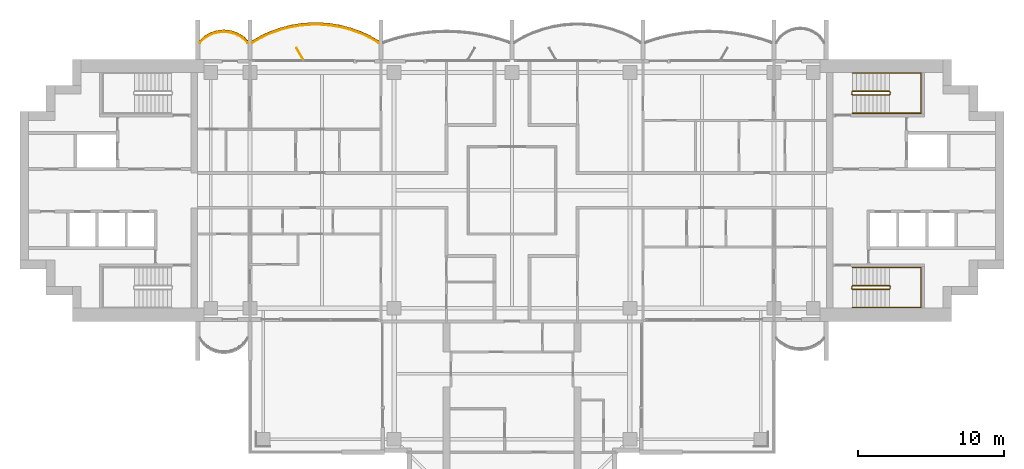
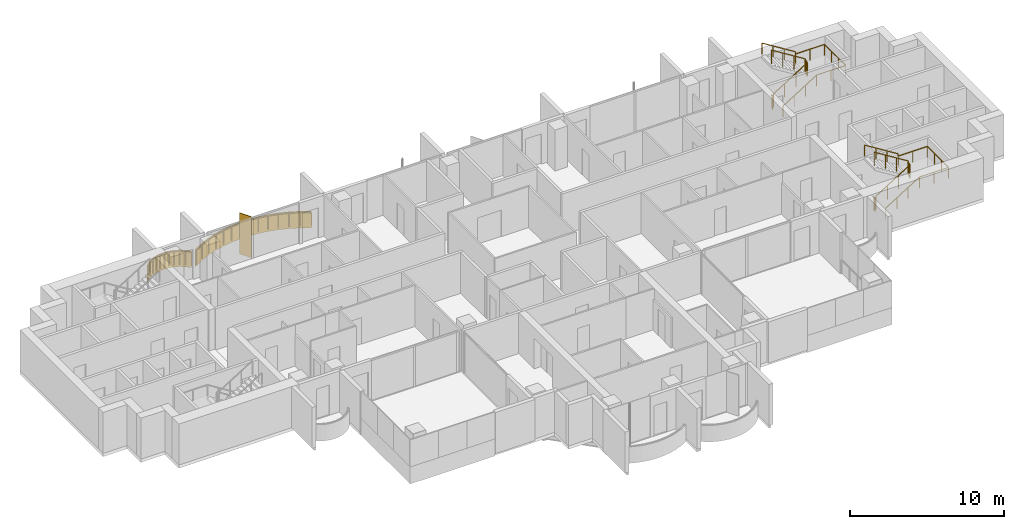
# One storey, part 16 of 17: 6 railings, 2 coverings, 1 shading device.
"""IFC4 building model written with IfcOpenShell, lengths in metres."""

from ifc_helpers import new_model, si_unit, direction, frame, origin, origin_2d, place, context, subcontext, project, spatial, polyline, rectangle, outline, extrude, material, layer, layer_set, type_object, element, save


model = new_model("IFC4")

# Units and contexts
model_context = context("Model", 3, precision=1e-05, world=origin(), true_north=direction((0.0, 1.0)))
body_context = subcontext(model_context, "Body", "Model", "MODEL_VIEW")
ifc_project = project(units=[si_unit("LENGTHUNIT", "METRE"), si_unit("AREAUNIT", "SQUARE_METRE"), si_unit("VOLUMEUNIT", "CUBIC_METRE"), si_unit("PLANEANGLEUNIT", "RADIAN"), si_unit("MASSUNIT", "GRAM", prefix="KILO")], contexts=[model_context])

# Site, building, storey
site_placement = place(None, origin())
site = spatial("IfcSite", under=ifc_project, at=site_placement, CompositionType="ELEMENT")
building_placement = place(site_placement, origin())
building = spatial("IfcBuilding", under=site, at=building_placement, Name="Perihelion Cross Residences", CompositionType="ELEMENT")
storey_placement = place(building_placement, frame((0.0, 0.0, 201.60009765625)))
storey = spatial("IfcBuildingStorey", under=building, at=storey_placement, Name="L50", CompositionType="ELEMENT", Elevation=201.60009765625)

# Coverings
ifc_material_1 = material(Name="Bronze anodised aluminium", Category="aluminium")
ifc_layer_1 = layer(ifc_material_1, 0.070068359375)
ifc_layer_set_1 = layer_set([ifc_layer_1], Name="Balcony fascia 1300")
covering_type = type_object("IfcCoveringType", Name="Balcony fascia 1300", PredefinedType="CLADDING", material=ifc_layer_set_1)
covering_1_placement = place(storey_placement, frame((0.0, 0.0, -0.2001953125)))
element("IfcCovering", 1, at=covering_1_placement, inside=storey, type_object=covering_type, Name="Fascia BF1 L50 west side north bay 1", PredefinedType="CLADDING", context=body_context, shape_type="SweptSolid", body=[
    extrude(outline(polyline([(-9.787841796875, 10.63916015625), (-10.462646484375, 10.941650390625), (-11.1376953125, 11.175048828125), (-11.8125, 11.345947265625), (-12.487548828125, 11.457763671875), (-13.16259765625, 11.51318359375), (-13.83740234375, 11.51318359375), (-14.512451171875, 11.457763671875), (-15.1875, 11.345947265625), (-15.8623046875, 11.175048828125), (-16.537353515625, 10.941650390625), (-17.212158203125, 10.63916015625), (-17.85009765625, 10.2802734375), (-17.85009765625, 10.199951171875), (-17.1806640625, 10.57666015625), (-16.511474609375, 10.87646484375), (-15.84228515625, 11.108154296875), (-15.173095703125, 11.27734375), (-14.50390625, 11.38818359375), (-13.834716796875, 11.443115234375), (-13.165283203125, 11.443115234375), (-12.49609375, 11.38818359375), (-11.826904296875, 11.27734375), (-11.15771484375, 11.108154296875), (-10.488525390625, 10.87646484375), (-9.8193359375, 10.57666015625), (-9.14990234375, 10.199951171875), (-9.14990234375, 10.2802734375), (-9.787841796875, 10.63916015625)])), origin(), (0.0, 0.0, 1.0), 1.300048828125),
])
covering_2_placement = place(storey_placement, frame((0.0, 0.0, -0.2001953125)))
element("IfcCovering", 2, at=covering_2_placement, inside=storey, type_object=covering_type, Name="Fascia BF1 L50 west side north bay 2", PredefinedType="CLADDING", context=body_context, shape_type="SweptSolid", body=[
    extrude(outline(polyline([(-18.4375, 10.56298828125), (-18.778076171875, 10.77587890625), (-19.11865234375, 10.914794921875), (-19.45947265625, 10.994140625), (-19.800048828125, 11.02001953125), (-20.140625, 10.994140625), (-20.481201171875, 10.914794921875), (-20.82177734375, 10.77587890625), (-21.16259765625, 10.56298828125), (-21.449951171875, 10.295654296875), (-21.449951171875, 10.199951171875), (-21.1201171875, 10.507568359375), (-20.7900390625, 10.71337890625), (-20.4599609375, 10.84814453125), (-20.1298828125, 10.925048828125), (-19.800048828125, 10.949951171875), (-19.469970703125, 10.925048828125), (-19.139892578125, 10.84814453125), (-18.81005859375, 10.71337890625), (-18.47998046875, 10.507568359375), (-18.14990234375, 10.199951171875), (-18.14990234375, 10.295654296875), (-18.4375, 10.56298828125)])), origin(), (0.0, 0.0, 1.0), 1.300048828125),
])

# Railings
ifc_material_2 = material(Name="Bronze anodised aluminium", Category="aluminium")
railing_type_1 = type_object("IfcRailingType", Name="Balcony guard 1100", PredefinedType="GUARDRAIL", material=ifc_material_2)
railing_1_placement = place(storey_placement, frame((-9.175048828125, 10.139892578125, 0.0)))
element("IfcRailing", 3, at=railing_1_placement, inside=storey, type_object=railing_type_1, Name="Guard GU1 L50 west side north bay 1 balcony", PredefinedType="GUARDRAIL", context=body_context, shape_type="SweptSolid", body=[
    extrude(rectangle(XDim=0.048095703125, YDim=0.048095703125, at=origin_2d()), frame((0.0, 0.0, 1.076171875), z_axis=(-0.863125740505, 0.504989065305, 0.0), x_axis=(-0.504989065305, -0.863125740505, 0.0)), (0.0, 0.0, 1.0), 0.746337890625),
    extrude(rectangle(XDim=0.048095703125, YDim=0.048095703125, at=origin_2d()), frame((-0.644287109375, 0.376953125, 1.076171875), z_axis=(-0.912723499295, 0.408577794103, 0.0), x_axis=(-0.408577794103, -0.912723499295, 0.0)), (0.0, 0.0, 1.0), 0.733154296875),
    extrude(rectangle(XDim=0.048095703125, YDim=0.048095703125, at=origin_2d()), frame((-1.3134765625, 0.676513671875, 1.076171875), z_axis=(-0.944965577734, 0.327169767701, 0.0), x_axis=(-0.327169767701, -0.944965577734, 0.0)), (0.0, 0.0, 1.0), 0.708251953125),
    extrude(rectangle(XDim=0.048095703125, YDim=0.048095703125, at=origin_2d()), frame((-1.982666015625, 0.908203125, 1.076171875), z_axis=(-0.96949408574, 0.245114703181, 0.0), x_axis=(-0.245114703181, -0.96949408574, 0.0)), (0.0, 0.0, 1.0), 0.690185546875),
    extrude(rectangle(XDim=0.048095703125, YDim=0.048095703125, at=origin_2d()), frame((-2.65185546875, 1.077392578125, 1.076171875), z_axis=(-0.986500713816, 0.163756959061, 0.0), x_axis=(-0.163756959061, -0.986500713816, 0.0)), (0.0, 0.0, 1.0), 0.678466796875),
    extrude(rectangle(XDim=0.048095703125, YDim=0.048095703125, at=origin_2d()), frame((-3.321044921875, 1.1884765625, 1.076171875), z_axis=(-0.996677390684, 0.081450468994, 0.0), x_axis=(-0.081450468994, -0.996677390684, 0.0)), (0.0, 0.0, 1.0), 0.67138671875),
    extrude(rectangle(XDim=0.048095703125, YDim=0.048095703125, at=origin_2d()), frame((-3.990234375, 1.2431640625, 1.076171875), z_axis=(-1.0, 0.0, 0.0), x_axis=(0.0, -1.0, 0.0)), (0.0, 0.0, 1.0), 0.66943359375),
    extrude(rectangle(XDim=0.048095703125, YDim=0.048095703125, at=origin_2d()), frame((-4.65966796875, 1.2431640625, 1.076171875), z_axis=(-0.996677390684, -0.081450468994, 0.0), x_axis=(0.081450468994, -0.996677390684, 0.0)), (0.0, 0.0, 1.0), 0.67138671875),
    extrude(rectangle(XDim=0.048095703125, YDim=0.048095703125, at=origin_2d()), frame((-5.328857421875, 1.1884765625, 1.076171875), z_axis=(-0.986500713816, -0.163756959061, 0.0), x_axis=(0.163756959061, -0.986500713816, 0.0)), (0.0, 0.0, 1.0), 0.678466796875),
    extrude(rectangle(XDim=0.048095703125, YDim=0.048095703125, at=origin_2d()), frame((-5.998046875, 1.077392578125, 1.076171875), z_axis=(-0.96949408574, -0.245114703181, 0.0), x_axis=(0.245114703181, -0.96949408574, 0.0)), (0.0, 0.0, 1.0), 0.690185546875),
    extrude(rectangle(XDim=0.048095703125, YDim=0.048095703125, at=origin_2d()), frame((-6.667236328125, 0.908203125, 1.076171875), z_axis=(-0.944965577734, -0.327169767701, 0.0), x_axis=(0.327169767701, -0.944965577734, 0.0)), (0.0, 0.0, 1.0), 0.708251953125),
    extrude(rectangle(XDim=0.048095703125, YDim=0.048095703125, at=origin_2d()), frame((-7.33642578125, 0.676513671875, 1.076171875), z_axis=(-0.912723499295, -0.408577794103, 0.0), x_axis=(0.408577794103, -0.912723499295, 0.0)), (0.0, 0.0, 1.0), 0.733154296875),
    extrude(rectangle(XDim=0.048095703125, YDim=0.048095703125, at=origin_2d()), frame((-8.005615234375, 0.376953125, 1.076171875), z_axis=(-0.863125740505, -0.504989065305, 0.0), x_axis=(0.504989065305, -0.863125740505, 0.0)), (0.0, 0.0, 1.0), 0.746337890625),
    extrude(rectangle(XDim=0.0419921875, YDim=0.0419921875, at=origin_2d()), origin(), (0.0, 0.0, 1.0), 1.052001953125),
    extrude(rectangle(XDim=0.0419921875, YDim=0.0419921875, at=origin_2d()), frame((-0.644287109375, 0.376953125, 0.0)), (0.0, 0.0, 1.0), 1.052001953125),
    extrude(rectangle(XDim=0.0419921875, YDim=0.0419921875, at=origin_2d()), frame((-1.3134765625, 0.676513671875, 0.0)), (0.0, 0.0, 1.0), 1.052001953125),
    extrude(rectangle(XDim=0.0419921875, YDim=0.0419921875, at=origin_2d()), frame((-1.982666015625, 0.908203125, 0.0)), (0.0, 0.0, 1.0), 1.052001953125),
    extrude(rectangle(XDim=0.0419921875, YDim=0.0419921875, at=origin_2d()), frame((-2.65185546875, 1.077392578125, 0.0)), (0.0, 0.0, 1.0), 1.052001953125),
    extrude(rectangle(XDim=0.0419921875, YDim=0.0419921875, at=origin_2d()), frame((-3.321044921875, 1.1884765625, 0.0)), (0.0, 0.0, 1.0), 1.052001953125),
    extrude(rectangle(XDim=0.0419921875, YDim=0.0419921875, at=origin_2d()), frame((-3.990234375, 1.2431640625, 0.0)), (0.0, 0.0, 1.0), 1.052001953125),
    extrude(rectangle(XDim=0.0419921875, YDim=0.0419921875, at=origin_2d()), frame((-4.65966796875, 1.2431640625, 0.0)), (0.0, 0.0, 1.0), 1.052001953125),
    extrude(rectangle(XDim=0.0419921875, YDim=0.0419921875, at=origin_2d()), frame((-5.328857421875, 1.1884765625, 0.0)), (0.0, 0.0, 1.0), 1.052001953125),
    extrude(rectangle(XDim=0.0419921875, YDim=0.0419921875, at=origin_2d()), frame((-5.998046875, 1.077392578125, 0.0)), (0.0, 0.0, 1.0), 1.052001953125),
    extrude(rectangle(XDim=0.0419921875, YDim=0.0419921875, at=origin_2d()), frame((-6.667236328125, 0.908203125, 0.0)), (0.0, 0.0, 1.0), 1.052001953125),
    extrude(rectangle(XDim=0.0419921875, YDim=0.0419921875, at=origin_2d()), frame((-7.33642578125, 0.676513671875, 0.0)), (0.0, 0.0, 1.0), 1.052001953125),
    extrude(rectangle(XDim=0.0419921875, YDim=0.0419921875, at=origin_2d()), frame((-8.005615234375, 0.376953125, 0.0)), (0.0, 0.0, 1.0), 1.052001953125),
    extrude(rectangle(XDim=0.0419921875, YDim=0.0419921875, at=origin_2d()), frame((-8.64990234375, 0.0, 0.0)), (0.0, 0.0, 1.0), 1.052001953125),
])
railing_2_placement = place(storey_placement, frame((-18.175048828125, 10.139892578125, 0.0)))
element("IfcRailing", 4, at=railing_2_placement, inside=storey, type_object=railing_type_1, Name="Guard GU1 L50 west side north bay 2 balcony", PredefinedType="GUARDRAIL", context=body_context, shape_type="SweptSolid", body=[
    extrude(rectangle(XDim=0.048095703125, YDim=0.048095703125, at=origin_2d()), frame((0.0, 0.0, 1.076171875), z_axis=(-0.703999905859, 0.710200065158, 0.0), x_axis=(-0.710200065158, -0.703999905859, 0.0)), (0.0, 0.0, 1.0), 0.43310546875),
    extrude(rectangle(XDim=0.048095703125, YDim=0.048095703125, at=origin_2d()), frame((-0.304931640625, 0.3076171875, 1.076171875), z_axis=(-0.848280173265, 0.529547682127, 0.0), x_axis=(-0.529547682127, -0.848280173265, 0.0)), (0.0, 0.0, 1.0), 0.38916015625),
    extrude(rectangle(XDim=0.048095703125, YDim=0.048095703125, at=origin_2d()), frame((-0.635009765625, 0.513671875, 1.076171875), z_axis=(-0.925950379976, 0.377645195682, 0.0), x_axis=(-0.377645195682, -0.925950379976, 0.0)), (0.0, 0.0, 1.0), 0.356201171875),
    extrude(rectangle(XDim=0.048095703125, YDim=0.048095703125, at=origin_2d()), frame((-0.96484375, 0.648193359375, 1.076171875), z_axis=(-0.97391554583, 0.226910796551, 0.0), x_axis=(-0.226910796551, -0.97391554583, 0.0)), (0.0, 0.0, 1.0), 0.3388671875),
    extrude(rectangle(XDim=0.048095703125, YDim=0.048095703125, at=origin_2d()), frame((-1.294921875, 0.72509765625, 1.076171875), z_axis=(-0.997166208737, 0.075229995038, 0.0), x_axis=(-0.075229995038, -0.997166208737, 0.0)), (0.0, 0.0, 1.0), 0.3310546875),
    extrude(rectangle(XDim=0.048095703125, YDim=0.048095703125, at=origin_2d()), frame((-1.625, 0.75, 1.076171875), z_axis=(-0.997162029931, -0.075285364214, 0.0), x_axis=(0.075285364214, -0.997162029931, 0.0)), (0.0, 0.0, 1.0), 0.330810546875),
    extrude(rectangle(XDim=0.048095703125, YDim=0.048095703125, at=origin_2d()), frame((-1.954833984375, 0.72509765625, 1.076171875), z_axis=(-0.97391554583, -0.226910796551, 0.0), x_axis=(0.226910796551, -0.97391554583, 0.0)), (0.0, 0.0, 1.0), 0.3388671875),
    extrude(rectangle(XDim=0.048095703125, YDim=0.048095703125, at=origin_2d()), frame((-2.284912109375, 0.648193359375, 1.076171875), z_axis=(-0.926048033295, -0.377405670374, 0.0), x_axis=(0.377405670374, -0.926048033295, 0.0)), (0.0, 0.0, 1.0), 0.3564453125),
    extrude(rectangle(XDim=0.048095703125, YDim=0.048095703125, at=origin_2d()), frame((-2.614990234375, 0.513671875, 1.076171875), z_axis=(-0.848280173265, -0.529547682127, 0.0), x_axis=(0.529547682127, -0.848280173265, 0.0)), (0.0, 0.0, 1.0), 0.38916015625),
    extrude(rectangle(XDim=0.048095703125, YDim=0.048095703125, at=origin_2d()), frame((-2.945068359375, 0.3076171875, 1.076171875), z_axis=(-0.703999905859, -0.710200065158, 0.0), x_axis=(0.710200065158, -0.703999905859, 0.0)), (0.0, 0.0, 1.0), 0.43310546875),
    extrude(rectangle(XDim=0.0419921875, YDim=0.0419921875, at=origin_2d()), origin(), (0.0, 0.0, 1.0), 1.052001953125),
    extrude(rectangle(XDim=0.0419921875, YDim=0.0419921875, at=origin_2d()), frame((-0.304931640625, 0.3076171875, 0.0)), (0.0, 0.0, 1.0), 1.052001953125),
    extrude(rectangle(XDim=0.0419921875, YDim=0.0419921875, at=origin_2d()), frame((-0.635009765625, 0.513671875, 0.0)), (0.0, 0.0, 1.0), 1.052001953125),
    extrude(rectangle(XDim=0.0419921875, YDim=0.0419921875, at=origin_2d()), frame((-0.96484375, 0.648193359375, 0.0)), (0.0, 0.0, 1.0), 1.052001953125),
    extrude(rectangle(XDim=0.0419921875, YDim=0.0419921875, at=origin_2d()), frame((-1.294921875, 0.72509765625, 0.0)), (0.0, 0.0, 1.0), 1.052001953125),
    extrude(rectangle(XDim=0.0419921875, YDim=0.0419921875, at=origin_2d()), frame((-1.625, 0.75, 0.0)), (0.0, 0.0, 1.0), 1.052001953125),
    extrude(rectangle(XDim=0.0419921875, YDim=0.0419921875, at=origin_2d()), frame((-1.954833984375, 0.72509765625, 0.0)), (0.0, 0.0, 1.0), 1.052001953125),
    extrude(rectangle(XDim=0.0419921875, YDim=0.0419921875, at=origin_2d()), frame((-2.284912109375, 0.648193359375, 0.0)), (0.0, 0.0, 1.0), 1.052001953125),
    extrude(rectangle(XDim=0.0419921875, YDim=0.0419921875, at=origin_2d()), frame((-2.614990234375, 0.513671875, 0.0)), (0.0, 0.0, 1.0), 1.052001953125),
    extrude(rectangle(XDim=0.0419921875, YDim=0.0419921875, at=origin_2d()), frame((-2.945068359375, 0.3076171875, 0.0)), (0.0, 0.0, 1.0), 1.052001953125),
    extrude(rectangle(XDim=0.0419921875, YDim=0.0419921875, at=origin_2d()), frame((-3.25, 0.0, 0.0)), (0.0, 0.0, 1.0), 1.052001953125),
])

# Shading device
ifc_material_3 = material(Name="Bronze anodised aluminium", Category="aluminium")
ifc_layer_2 = layer(ifc_material_3, 0.050048828125)
ifc_layer_set_2 = layer_set([ifc_layer_2], Name="Bronze fin 900")
shading_device_type = type_object("IfcShadingDeviceType", Name="Bronze fin 900", PredefinedType="USERDEFINED", material=ifc_layer_set_2)
shading_device_placement = place(storey_placement, frame((-14.574951171875, 9.3896484375, 0.0), z_axis=(0.0, 0.0, 1.0), x_axis=(-0.5, 0.866025403784, 0.0)))
element("IfcShadingDevice", 5, at=shading_device_placement, inside=storey, type_object=shading_device_type, Name="Fin FN1 L50 west side north bay 1", ObjectType="FIN", PredefinedType="USERDEFINED", context=body_context, shape_type="SweptSolid", body=[
    extrude(rectangle(XDim=0.89990234375, YDim=0.050048828125, at=origin_2d()), origin(), (0.0, 0.0, 1.0), 3.25),
])

# Railings
ifc_material_4 = material(Name="Stainless steel", Category="steel")
railing_type_2 = type_object("IfcRailingType", Name="Stair guard 1100", PredefinedType="GUARDRAIL", material=ifc_material_4)
railing_3_placement = place(storey_placement, frame((23.35009765625, 6.75, 0.0)))
element("IfcRailing", 6, at=railing_3_placement, inside=storey, type_object=railing_type_2, Name="L50 ST-E1 stair guard 1", PredefinedType="GUARDRAIL", context=body_context, shape_type="SweptSolid", body=[
    extrude(rectangle(XDim=0.048095703125, YDim=0.048095703125, at=origin_2d()), frame((0.0, 0.0, 1.076171875), z_axis=(0.0, -1.0, 0.0), x_axis=(1.0, 0.0, 0.0)), (0.0, 0.0, 1.0), 0.14990234375),
    extrude(rectangle(XDim=0.048095703125, YDim=0.048095703125, at=origin_2d()), frame((0.0, -0.14990234375, 1.076171875), z_axis=(0.264179342666, -0.265474339444, 0.927217692888), x_axis=(0.708833529934, 0.705375805398, 0.0)), (0.0, 0.0, 1.0), 0.1884765625),
    extrude(rectangle(XDim=0.048095703125, YDim=0.048095703125, at=origin_2d()), frame((0.0498046875, -0.199951171875, 1.2509765625), z_axis=(0.847970611238, 0.0, 0.530043245855), x_axis=(0.0, 1.0, 0.0)), (0.0, 0.0, 1.0), 2.971923828125),
    extrude(rectangle(XDim=0.048095703125, YDim=0.048095703125, at=origin_2d()), frame((2.56982421875, -0.199951171875, 2.826171875), z_axis=(0.707106781187, 0.707106781187, 0.0), x_axis=(-0.707106781187, 0.707106781187, 0.0)), (0.0, 0.0, 1.0), 0.07080078125),
    extrude(rectangle(XDim=0.048095703125, YDim=0.048095703125, at=origin_2d()), frame((2.619873046875, -0.14990234375, 2.826171875), z_axis=(0.0, 1.0, 0.0), x_axis=(-1.0, 0.0, 0.0)), (0.0, 0.0, 1.0), 0.14990234375),
    extrude(rectangle(XDim=0.048095703125, YDim=0.048095703125, at=origin_2d()), frame((2.619873046875, 0.0, 2.826171875), z_axis=(-0.265383341853, 0.265383341853, 0.926899867156), x_axis=(-0.707106781187, -0.707106781187, 0.0)), (0.0, 0.0, 1.0), 0.1884765625),
    extrude(rectangle(XDim=0.048095703125, YDim=0.048095703125, at=origin_2d()), frame((2.56982421875, 0.050048828125, 3.0009765625), z_axis=(-0.847970611238, 0.0, 0.530043245855), x_axis=(0.0, -1.0, 0.0)), (0.0, 0.0, 1.0), 2.971923828125),
    extrude(rectangle(XDim=0.0419921875, YDim=0.0419921875, at=origin_2d()), origin(), (0.0, 0.0, 1.0), 1.052001953125),
    extrude(rectangle(XDim=0.0419921875, YDim=0.0419921875, at=origin_2d()), frame((0.0, -0.14990234375, 0.0)), (0.0, 0.0, 1.0), 1.052001953125),
    extrude(rectangle(XDim=0.0419921875, YDim=0.0419921875, at=origin_2d()), frame((0.0498046875, -0.199951171875, 0.1748046875)), (0.0, 0.0, 1.0), 1.052001953125),
    extrude(rectangle(XDim=0.0419921875, YDim=0.0419921875, at=origin_2d()), frame((0.889892578125, -0.199951171875, 0.699951171875)), (0.0, 0.0, 1.0), 1.052001953125),
    extrude(rectangle(XDim=0.0419921875, YDim=0.0419921875, at=origin_2d()), frame((1.729736328125, -0.199951171875, 1.224853515625)), (0.0, 0.0, 1.0), 1.052001953125),
    extrude(rectangle(XDim=0.0419921875, YDim=0.0419921875, at=origin_2d()), frame((2.56982421875, -0.199951171875, 1.75)), (0.0, 0.0, 1.0), 1.052001953125),
    extrude(rectangle(XDim=0.0419921875, YDim=0.0419921875, at=origin_2d()), frame((2.619873046875, -0.14990234375, 1.75)), (0.0, 0.0, 1.0), 1.052001953125),
    extrude(rectangle(XDim=0.0419921875, YDim=0.0419921875, at=origin_2d()), frame((2.619873046875, 0.0, 1.75)), (0.0, 0.0, 1.0), 1.052001953125),
    extrude(rectangle(XDim=0.0419921875, YDim=0.0419921875, at=origin_2d()), frame((2.56982421875, 0.050048828125, 1.9248046875)), (0.0, 0.0, 1.0), 1.052001953125),
    extrude(rectangle(XDim=0.0419921875, YDim=0.0419921875, at=origin_2d()), frame((1.729736328125, 0.050048828125, 2.449951171875)), (0.0, 0.0, 1.0), 1.052001953125),
    extrude(rectangle(XDim=0.0419921875, YDim=0.0419921875, at=origin_2d()), frame((0.889892578125, 0.050048828125, 2.974853515625)), (0.0, 0.0, 1.0), 1.052001953125),
    extrude(rectangle(XDim=0.0419921875, YDim=0.0419921875, at=origin_2d()), frame((0.0498046875, 0.050048828125, 3.5)), (0.0, 0.0, 1.0), 1.052001953125),
])
railing_4_placement = place(storey_placement, frame((23.35009765625, -6.60009765625, 0.0)))
element("IfcRailing", 7, at=railing_4_placement, inside=storey, type_object=railing_type_2, Name="L50 ST-E2 stair guard 1", PredefinedType="GUARDRAIL", context=body_context, shape_type="SweptSolid", body=[
    extrude(rectangle(XDim=0.048095703125, YDim=0.048095703125, at=origin_2d()), frame((0.0, 0.0, 1.076171875), z_axis=(0.0, -1.0, 0.0), x_axis=(1.0, 0.0, 0.0)), (0.0, 0.0, 1.0), 0.14990234375),
    extrude(rectangle(XDim=0.048095703125, YDim=0.048095703125, at=origin_2d()), frame((0.0, -0.14990234375, 1.076171875), z_axis=(0.264179342666, -0.265474339444, 0.927217692888), x_axis=(0.708833529934, 0.705375805398, 0.0)), (0.0, 0.0, 1.0), 0.1884765625),
    extrude(rectangle(XDim=0.048095703125, YDim=0.048095703125, at=origin_2d()), frame((0.0498046875, -0.199951171875, 1.2509765625), z_axis=(0.847970611238, 0.0, 0.530043245855), x_axis=(0.0, 1.0, 0.0)), (0.0, 0.0, 1.0), 2.971923828125),
    extrude(rectangle(XDim=0.048095703125, YDim=0.048095703125, at=origin_2d()), frame((2.56982421875, -0.199951171875, 2.826171875), z_axis=(0.707106781187, 0.707106781187, 0.0), x_axis=(-0.707106781187, 0.707106781187, 0.0)), (0.0, 0.0, 1.0), 0.07080078125),
    extrude(rectangle(XDim=0.048095703125, YDim=0.048095703125, at=origin_2d()), frame((2.619873046875, -0.14990234375, 2.826171875), z_axis=(0.0, 1.0, 0.0), x_axis=(-1.0, 0.0, 0.0)), (0.0, 0.0, 1.0), 0.14990234375),
    extrude(rectangle(XDim=0.048095703125, YDim=0.048095703125, at=origin_2d()), frame((2.619873046875, 0.0, 2.826171875), z_axis=(-0.265383341853, 0.265383341853, 0.926899867156), x_axis=(-0.707106781187, -0.707106781187, 0.0)), (0.0, 0.0, 1.0), 0.1884765625),
    extrude(rectangle(XDim=0.048095703125, YDim=0.048095703125, at=origin_2d()), frame((2.56982421875, 0.050048828125, 3.0009765625), z_axis=(-0.847970611238, 0.0, 0.530043245855), x_axis=(0.0, -1.0, 0.0)), (0.0, 0.0, 1.0), 2.971923828125),
    extrude(rectangle(XDim=0.0419921875, YDim=0.0419921875, at=origin_2d()), origin(), (0.0, 0.0, 1.0), 1.052001953125),
    extrude(rectangle(XDim=0.0419921875, YDim=0.0419921875, at=origin_2d()), frame((0.0, -0.14990234375, 0.0)), (0.0, 0.0, 1.0), 1.052001953125),
    extrude(rectangle(XDim=0.0419921875, YDim=0.0419921875, at=origin_2d()), frame((0.0498046875, -0.199951171875, 0.1748046875)), (0.0, 0.0, 1.0), 1.052001953125),
    extrude(rectangle(XDim=0.0419921875, YDim=0.0419921875, at=origin_2d()), frame((0.889892578125, -0.199951171875, 0.699951171875)), (0.0, 0.0, 1.0), 1.052001953125),
    extrude(rectangle(XDim=0.0419921875, YDim=0.0419921875, at=origin_2d()), frame((1.729736328125, -0.199951171875, 1.224853515625)), (0.0, 0.0, 1.0), 1.052001953125),
    extrude(rectangle(XDim=0.0419921875, YDim=0.0419921875, at=origin_2d()), frame((2.56982421875, -0.199951171875, 1.75)), (0.0, 0.0, 1.0), 1.052001953125),
    extrude(rectangle(XDim=0.0419921875, YDim=0.0419921875, at=origin_2d()), frame((2.619873046875, -0.14990234375, 1.75)), (0.0, 0.0, 1.0), 1.052001953125),
    extrude(rectangle(XDim=0.0419921875, YDim=0.0419921875, at=origin_2d()), frame((2.619873046875, 0.0, 1.75)), (0.0, 0.0, 1.0), 1.052001953125),
    extrude(rectangle(XDim=0.0419921875, YDim=0.0419921875, at=origin_2d()), frame((2.56982421875, 0.050048828125, 1.9248046875)), (0.0, 0.0, 1.0), 1.052001953125),
    extrude(rectangle(XDim=0.0419921875, YDim=0.0419921875, at=origin_2d()), frame((1.729736328125, 0.050048828125, 2.449951171875)), (0.0, 0.0, 1.0), 1.052001953125),
    extrude(rectangle(XDim=0.0419921875, YDim=0.0419921875, at=origin_2d()), frame((0.889892578125, 0.050048828125, 2.974853515625)), (0.0, 0.0, 1.0), 1.052001953125),
    extrude(rectangle(XDim=0.0419921875, YDim=0.0419921875, at=origin_2d()), frame((0.0498046875, 0.050048828125, 3.5)), (0.0, 0.0, 1.0), 1.052001953125),
])
ifc_material_5 = material(Name="Stainless steel", Category="steel")
railing_type_3 = type_object("IfcRailingType", Name="Stair handrail 900", PredefinedType="HANDRAIL", material=ifc_material_5)
railing_5_placement = place(storey_placement, frame((23.39990234375, 5.300048828125, 0.1748046875)))
element("IfcRailing", 8, at=railing_5_placement, inside=storey, type_object=railing_type_3, Name="L50 ST-E1 stair handrail 1", PredefinedType="HANDRAIL", context=body_context, shape_type="SweptSolid", body=[
    extrude(rectangle(XDim=0.048095703125, YDim=0.048095703125, at=origin_2d()), frame((0.0, 0.0, 0.8759765625), z_axis=(0.847970611238, 0.0, 0.530043245855), x_axis=(0.0, 1.0, 0.0)), (0.0, 0.0, 1.0), 2.971923828125),
    extrude(rectangle(XDim=0.048095703125, YDim=0.048095703125, at=origin_2d()), frame((2.52001953125, 0.0, 2.451171875), z_axis=(1.0, 0.0, 0.0), x_axis=(0.0, 1.0, 0.0)), (0.0, 0.0, 1.0), 2.18017578125),
    extrude(rectangle(XDim=0.048095703125, YDim=0.048095703125, at=origin_2d()), frame((4.7001953125, 0.0, 2.451171875), z_axis=(0.0, 1.0, 0.0), x_axis=(-1.0, 0.0, 0.0)), (0.0, 0.0, 1.0), 2.75),
    extrude(rectangle(XDim=0.048095703125, YDim=0.048095703125, at=origin_2d()), frame((4.7001953125, 2.75, 2.451171875), z_axis=(-1.0, 0.0, 0.0), x_axis=(0.0, -1.0, 0.0)), (0.0, 0.0, 1.0), 2.18017578125),
    extrude(rectangle(XDim=0.048095703125, YDim=0.048095703125, at=origin_2d()), frame((2.52001953125, 2.75, 2.451171875), z_axis=(0.0, 0.0, 1.0), x_axis=(1.0, 0.0, 0.0)), (0.0, 0.0, 1.0), 0.1748046875),
    extrude(rectangle(XDim=0.048095703125, YDim=0.048095703125, at=origin_2d()), frame((2.52001953125, 2.75, 2.6259765625), z_axis=(-0.847970611238, 0.0, 0.530043245855), x_axis=(0.0, -1.0, 0.0)), (0.0, 0.0, 1.0), 2.971923828125),
    extrude(rectangle(XDim=0.0419921875, YDim=0.0419921875, at=origin_2d()), origin(), (0.0, 0.0, 1.0), 0.851806640625),
    extrude(rectangle(XDim=0.0419921875, YDim=0.0419921875, at=origin_2d()), frame((0.840087890625, 0.0, 0.525146484375)), (0.0, 0.0, 1.0), 0.851806640625),
    extrude(rectangle(XDim=0.0419921875, YDim=0.0419921875, at=origin_2d()), frame((1.679931640625, 0.0, 1.050048828125)), (0.0, 0.0, 1.0), 0.851806640625),
    extrude(rectangle(XDim=0.0419921875, YDim=0.0419921875, at=origin_2d()), frame((2.52001953125, 0.0, 1.5751953125)), (0.0, 0.0, 1.0), 0.851806640625),
    extrude(rectangle(XDim=0.0419921875, YDim=0.0419921875, at=origin_2d()), frame((3.610107421875, 0.0, 1.5751953125)), (0.0, 0.0, 1.0), 0.851806640625),
    extrude(rectangle(XDim=0.0419921875, YDim=0.0419921875, at=origin_2d()), frame((4.7001953125, 0.0, 1.5751953125)), (0.0, 0.0, 1.0), 0.851806640625),
    extrude(rectangle(XDim=0.0419921875, YDim=0.0419921875, at=origin_2d()), frame((4.7001953125, 0.916748046875, 1.5751953125)), (0.0, 0.0, 1.0), 0.851806640625),
    extrude(rectangle(XDim=0.0419921875, YDim=0.0419921875, at=origin_2d()), frame((4.7001953125, 1.833251953125, 1.5751953125)), (0.0, 0.0, 1.0), 0.851806640625),
    extrude(rectangle(XDim=0.0419921875, YDim=0.0419921875, at=origin_2d()), frame((4.7001953125, 2.75, 1.5751953125)), (0.0, 0.0, 1.0), 0.851806640625),
    extrude(rectangle(XDim=0.0419921875, YDim=0.0419921875, at=origin_2d()), frame((3.610107421875, 2.75, 1.5751953125)), (0.0, 0.0, 1.0), 0.851806640625),
    extrude(rectangle(XDim=0.0419921875, YDim=0.0419921875, at=origin_2d()), frame((2.52001953125, 2.75, 1.5751953125)), (0.0, 0.0, 1.0), 0.851806640625),
    extrude(rectangle(XDim=0.0419921875, YDim=0.0419921875, at=origin_2d()), frame((2.52001953125, 2.75, 1.75)), (0.0, 0.0, 1.0), 0.851806640625),
    extrude(rectangle(XDim=0.0419921875, YDim=0.0419921875, at=origin_2d()), frame((1.679931640625, 2.75, 2.275146484375)), (0.0, 0.0, 1.0), 0.851806640625),
    extrude(rectangle(XDim=0.0419921875, YDim=0.0419921875, at=origin_2d()), frame((0.840087890625, 2.75, 2.800048828125)), (0.0, 0.0, 1.0), 0.851806640625),
    extrude(rectangle(XDim=0.0419921875, YDim=0.0419921875, at=origin_2d()), frame((0.0, 2.75, 3.3251953125)), (0.0, 0.0, 1.0), 0.851806640625),
])
railing_6_placement = place(storey_placement, frame((23.39990234375, -8.050048828125, 0.1748046875)))
element("IfcRailing", 9, at=railing_6_placement, inside=storey, type_object=railing_type_3, Name="L50 ST-E2 stair handrail 1", PredefinedType="HANDRAIL", context=body_context, shape_type="SweptSolid", body=[
    extrude(rectangle(XDim=0.048095703125, YDim=0.048095703125, at=origin_2d()), frame((0.0, 0.0, 0.8759765625), z_axis=(0.847970611238, 0.0, 0.530043245855), x_axis=(0.0, 1.0, 0.0)), (0.0, 0.0, 1.0), 2.971923828125),
    extrude(rectangle(XDim=0.048095703125, YDim=0.048095703125, at=origin_2d()), frame((2.52001953125, 0.0, 2.451171875), z_axis=(1.0, 0.0, 0.0), x_axis=(0.0, 1.0, 0.0)), (0.0, 0.0, 1.0), 2.18017578125),
    extrude(rectangle(XDim=0.048095703125, YDim=0.048095703125, at=origin_2d()), frame((4.7001953125, 0.0, 2.451171875), z_axis=(0.0, 1.0, 0.0), x_axis=(-1.0, 0.0, 0.0)), (0.0, 0.0, 1.0), 2.75),
    extrude(rectangle(XDim=0.048095703125, YDim=0.048095703125, at=origin_2d()), frame((4.7001953125, 2.75, 2.451171875), z_axis=(-1.0, 0.0, 0.0), x_axis=(0.0, -1.0, 0.0)), (0.0, 0.0, 1.0), 2.18017578125),
    extrude(rectangle(XDim=0.048095703125, YDim=0.048095703125, at=origin_2d()), frame((2.52001953125, 2.75, 2.451171875), z_axis=(0.0, 0.0, 1.0), x_axis=(1.0, 0.0, 0.0)), (0.0, 0.0, 1.0), 0.1748046875),
    extrude(rectangle(XDim=0.048095703125, YDim=0.048095703125, at=origin_2d()), frame((2.52001953125, 2.75, 2.6259765625), z_axis=(-0.847970611238, 0.0, 0.530043245855), x_axis=(0.0, -1.0, 0.0)), (0.0, 0.0, 1.0), 2.971923828125),
    extrude(rectangle(XDim=0.0419921875, YDim=0.0419921875, at=origin_2d()), origin(), (0.0, 0.0, 1.0), 0.851806640625),
    extrude(rectangle(XDim=0.0419921875, YDim=0.0419921875, at=origin_2d()), frame((0.840087890625, 0.0, 0.525146484375)), (0.0, 0.0, 1.0), 0.851806640625),
    extrude(rectangle(XDim=0.0419921875, YDim=0.0419921875, at=origin_2d()), frame((1.679931640625, 0.0, 1.050048828125)), (0.0, 0.0, 1.0), 0.851806640625),
    extrude(rectangle(XDim=0.0419921875, YDim=0.0419921875, at=origin_2d()), frame((2.52001953125, 0.0, 1.5751953125)), (0.0, 0.0, 1.0), 0.851806640625),
    extrude(rectangle(XDim=0.0419921875, YDim=0.0419921875, at=origin_2d()), frame((3.610107421875, 0.0, 1.5751953125)), (0.0, 0.0, 1.0), 0.851806640625),
    extrude(rectangle(XDim=0.0419921875, YDim=0.0419921875, at=origin_2d()), frame((4.7001953125, 0.0, 1.5751953125)), (0.0, 0.0, 1.0), 0.851806640625),
    extrude(rectangle(XDim=0.0419921875, YDim=0.0419921875, at=origin_2d()), frame((4.7001953125, 0.916748046875, 1.5751953125)), (0.0, 0.0, 1.0), 0.851806640625),
    extrude(rectangle(XDim=0.0419921875, YDim=0.0419921875, at=origin_2d()), frame((4.7001953125, 1.833251953125, 1.5751953125)), (0.0, 0.0, 1.0), 0.851806640625),
    extrude(rectangle(XDim=0.0419921875, YDim=0.0419921875, at=origin_2d()), frame((4.7001953125, 2.75, 1.5751953125)), (0.0, 0.0, 1.0), 0.851806640625),
    extrude(rectangle(XDim=0.0419921875, YDim=0.0419921875, at=origin_2d()), frame((3.610107421875, 2.75, 1.5751953125)), (0.0, 0.0, 1.0), 0.851806640625),
    extrude(rectangle(XDim=0.0419921875, YDim=0.0419921875, at=origin_2d()), frame((2.52001953125, 2.75, 1.5751953125)), (0.0, 0.0, 1.0), 0.851806640625),
    extrude(rectangle(XDim=0.0419921875, YDim=0.0419921875, at=origin_2d()), frame((2.52001953125, 2.75, 1.75)), (0.0, 0.0, 1.0), 0.851806640625),
    extrude(rectangle(XDim=0.0419921875, YDim=0.0419921875, at=origin_2d()), frame((1.679931640625, 2.75, 2.275146484375)), (0.0, 0.0, 1.0), 0.851806640625),
    extrude(rectangle(XDim=0.0419921875, YDim=0.0419921875, at=origin_2d()), frame((0.840087890625, 2.75, 2.800048828125)), (0.0, 0.0, 1.0), 0.851806640625),
    extrude(rectangle(XDim=0.0419921875, YDim=0.0419921875, at=origin_2d()), frame((0.0, 2.75, 3.3251953125)), (0.0, 0.0, 1.0), 0.851806640625),
])

save(model, "model.ifc")
